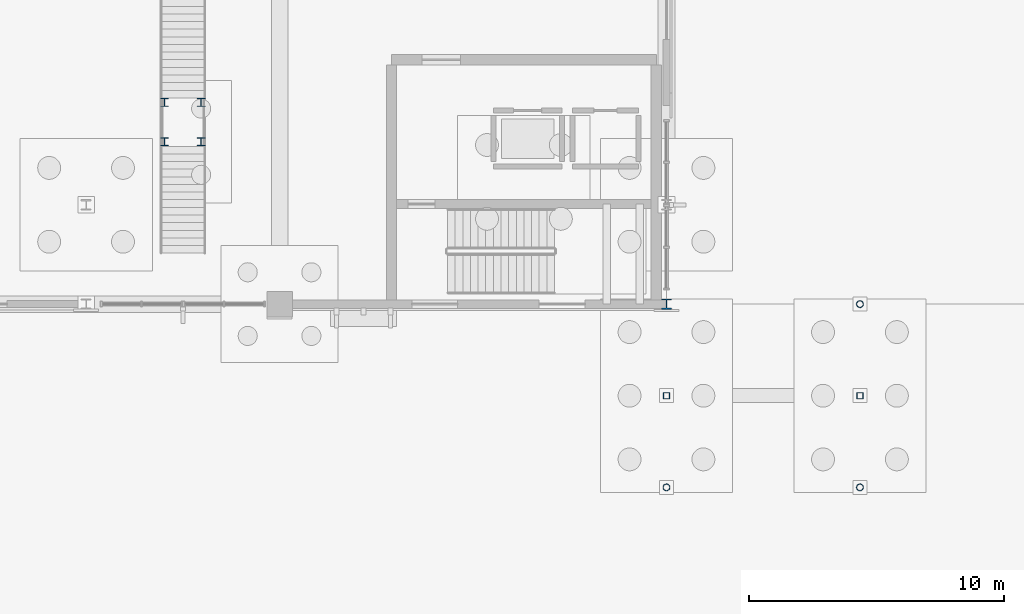
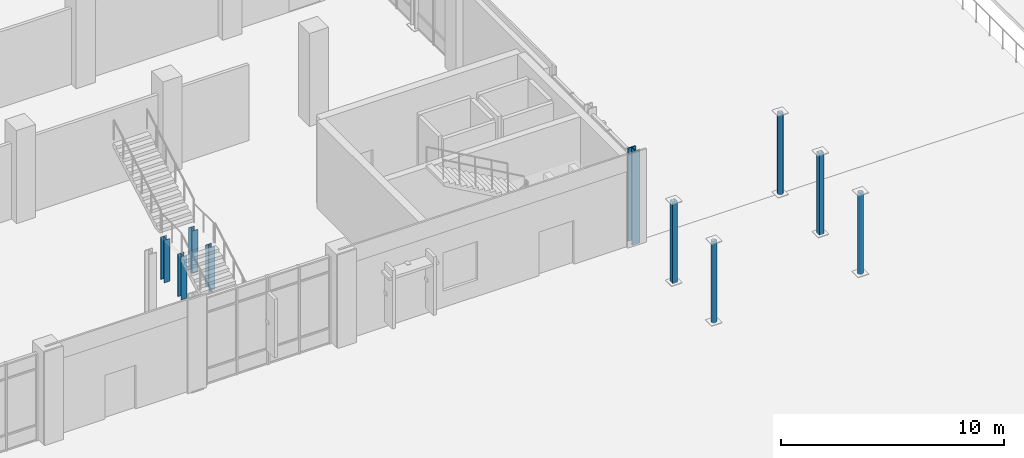
# One storey, part 29 of 94: 10 columns.
"""IFC4 building model written with IfcOpenShell, lengths in metres."""

from ifc_helpers import new_model, si_unit, direction, frame, origin, origin_2d, place, context, subcontext, project, spatial, hollow_rectangle, hollow_circle, i_section, extrude, material, material_profile, profile_set, type_object, element, save


model = new_model("IFC4")

# Units and contexts
model_context = context("Model", 3, precision=1e-05, world=origin(), true_north=direction((0.0, 1.0)))
body_context = subcontext(model_context, "Body", "Model", "MODEL_VIEW")
ifc_project = project(units=[si_unit("LENGTHUNIT", "METRE"), si_unit("AREAUNIT", "SQUARE_METRE"), si_unit("VOLUMEUNIT", "CUBIC_METRE"), si_unit("PLANEANGLEUNIT", "RADIAN"), si_unit("MASSUNIT", "GRAM", prefix="KILO")], contexts=[model_context])

# Site, building, storey
site_placement = place(None, origin())
site = spatial("IfcSite", under=ifc_project, at=site_placement, CompositionType="ELEMENT")
building_placement = place(site_placement, origin())
building = spatial("IfcBuilding", under=site, at=building_placement, Name="Vervanel Yard Central Library", CompositionType="ELEMENT")
storey_placement = place(building_placement, origin())
storey = spatial("IfcBuildingStorey", under=building, at=storey_placement, Name="L00", CompositionType="ELEMENT", Elevation=0.0)

# Columns
ifc_material_1 = material(Name="Steel ASTM A500 Grade C", Category="steel")
ifc_material_profile_1 = material_profile(ifc_material_1, hollow_circle(Radius=0.136474609375, WallThickness=0.01171875, at=origin_2d()), Name="HSS10.750X0.500", Category="steel")
ifc_profile_set_1 = profile_set([ifc_material_profile_1], Name="Steel ASTM A500 Grade C")
column_type_1 = type_object("IfcColumnType", Name="Canopy Column HSS10.750X0.500", PredefinedType="COLUMN", material=ifc_profile_set_1)
for number, where, z_axis, x_axis, name in (
    (1, (146.0, 36.0, 0.0), (0.0, 0.0, 1.0), (1.0, 0.0, 0.0), "L00 Canopy Column HSS10.750X0.500 (146.0, 36.0)"),
    (2, (153.60009765625, 36.0, 0.0), (0.0, 0.0, 1.0), (1.0, 0.0, 0.0), "L00 Canopy Column HSS10.750X0.500 (153.6, 36.0)"),
    (3, (153.60009765625, 43.199951171875, 0.0), (0.0, 0.0, 1.0), (1.0, 0.0, 0.0), "L00 Entrance Canopy NE Column"),
):
    element("IfcColumn", number, at=place(storey_placement, frame(where, z_axis=z_axis, x_axis=x_axis)), inside=storey, type_object=column_type_1, Name=name, PredefinedType="COLUMN", context=body_context, shape_type="SweptSolid", body=[
        extrude(hollow_circle(Radius=0.136474609375, WallThickness=0.01171875, at=origin_2d()), origin(), (0.0, 0.0, 1.0), 4.462646484375),
    ])
ifc_material_profile_2 = material_profile(ifc_material_1, hollow_rectangle(XDim=0.25390625, YDim=0.25390625, WallThickness=0.01171875, at=origin_2d()), Name="HSS10X10X1/2", Category="steel")
ifc_profile_set_2 = profile_set([ifc_material_profile_2], Name="Steel ASTM A500 Grade C")
column_type_2 = type_object("IfcColumnType", Name="Steel Column HSS10X10X1/2", PredefinedType="COLUMN", material=ifc_profile_set_2)
for number, where, z_axis, x_axis, name in (
    (4, (146.0, 39.60009765625, 0.0), (0.0, 0.0, 1.0), (1.0, 0.0, 0.0), "L00 Steel Support Post SC-12 (146.0, 39.6)"),
    (5, (153.60009765625, 39.60009765625, 0.0), (0.0, 0.0, 1.0), (1.0, 0.0, 0.0), "L00 Steel Support Post SC-12 (153.6, 39.6)"),
):
    element("IfcColumn", number, at=place(storey_placement, frame(where, z_axis=z_axis, x_axis=x_axis)), inside=storey, type_object=column_type_2, Name=name, PredefinedType="COLUMN", context=body_context, shape_type="SweptSolid", body=[
        extrude(hollow_rectangle(XDim=0.25390625, YDim=0.25390625, WallThickness=0.01171875, at=origin_2d()), origin(), (0.0, 0.0, 1.0), 4.462646484375),
    ])
ifc_material_2 = material(Name="Steel ASTM A992 Grade 50", Category="steel")
ifc_material_profile_3 = material_profile(ifc_material_2, i_section(OverallWidth=0.307373046875, OverallDepth=0.31494140625, WebThickness=0.011962890625, FlangeThickness=0.0185546875, at=origin_2d()), Name="W12X79", Category="steel")
ifc_profile_set_3 = profile_set([ifc_material_profile_3], Name="Steel ASTM A992 Grade 50")
column_type_3 = type_object("IfcColumnType", Name="Steel Column W12X79", PredefinedType="COLUMN", material=ifc_profile_set_3)
for number, where, z_axis, x_axis, name in (
    (6, (126.280029296875, 49.580078125, 0.0), (0.0, 0.0, 1.0), (1.0, 0.0, 0.0), "L00 Feature Stair FS-ST-01 Landing Post 1"),
    (7, (127.719970703125, 49.580078125, 0.0), (0.0, 0.0, 1.0), (1.0, 0.0, 0.0), "L00 Feature Stair FS-ST-01 Landing Post 2"),
    (8, (126.280029296875, 51.1201171875, 0.0), (0.0, 0.0, 1.0), (1.0, 0.0, 0.0), "L00 Feature Stair FS-ST-01 Landing Post 3"),
    (9, (127.719970703125, 51.1201171875, 0.0), (0.0, 0.0, 1.0), (1.0, 0.0, 0.0), "L00 Feature Stair FS-ST-01 Landing Post 4"),
):
    element("IfcColumn", number, at=place(storey_placement, frame(where, z_axis=z_axis, x_axis=x_axis)), inside=storey, type_object=column_type_3, Name=name, PredefinedType="COLUMN", context=body_context, shape_type="SweptSolid", body=[
        extrude(i_section(OverallWidth=0.307373046875, OverallDepth=0.31494140625, WebThickness=0.011962890625, FlangeThickness=0.0185546875, at=origin_2d()), origin(), (0.0, 0.0, 1.0), 2.330078125),
    ])
ifc_material_profile_4 = material_profile(ifc_material_2, i_section(OverallWidth=0.406494140625, OverallDepth=0.41650390625, WebThickness=0.030029296875, FlangeThickness=0.048095703125, at=origin_2d()), Name="W14X257", Category="steel")
ifc_profile_set_4 = profile_set([ifc_material_profile_4], Name="Steel ASTM A992 Grade 50")
column_type_4 = type_object("IfcColumnType", Name="Steel Fulcrum Post W14X257", PredefinedType="COLUMN", material=ifc_profile_set_4)
column_placement = place(storey_placement, frame((146.0, 43.199951171875, 0.0), z_axis=(0.0, 0.0, 1.0), x_axis=(1.0, 0.0, 0.0)))
element("IfcColumn", 10, at=column_placement, inside=storey, type_object=column_type_4, Name="L00 V3 Spandrel Stack Post S X=146.0", PredefinedType="COLUMN", context=body_context, shape_type="SweptSolid", body=[
    extrude(i_section(OverallWidth=0.406494140625, OverallDepth=0.41650390625, WebThickness=0.030029296875, FlangeThickness=0.048095703125, at=origin_2d()), origin(), (0.0, 0.0, 1.0), 5.10009765625),
])

save(model, "model.ifc")
